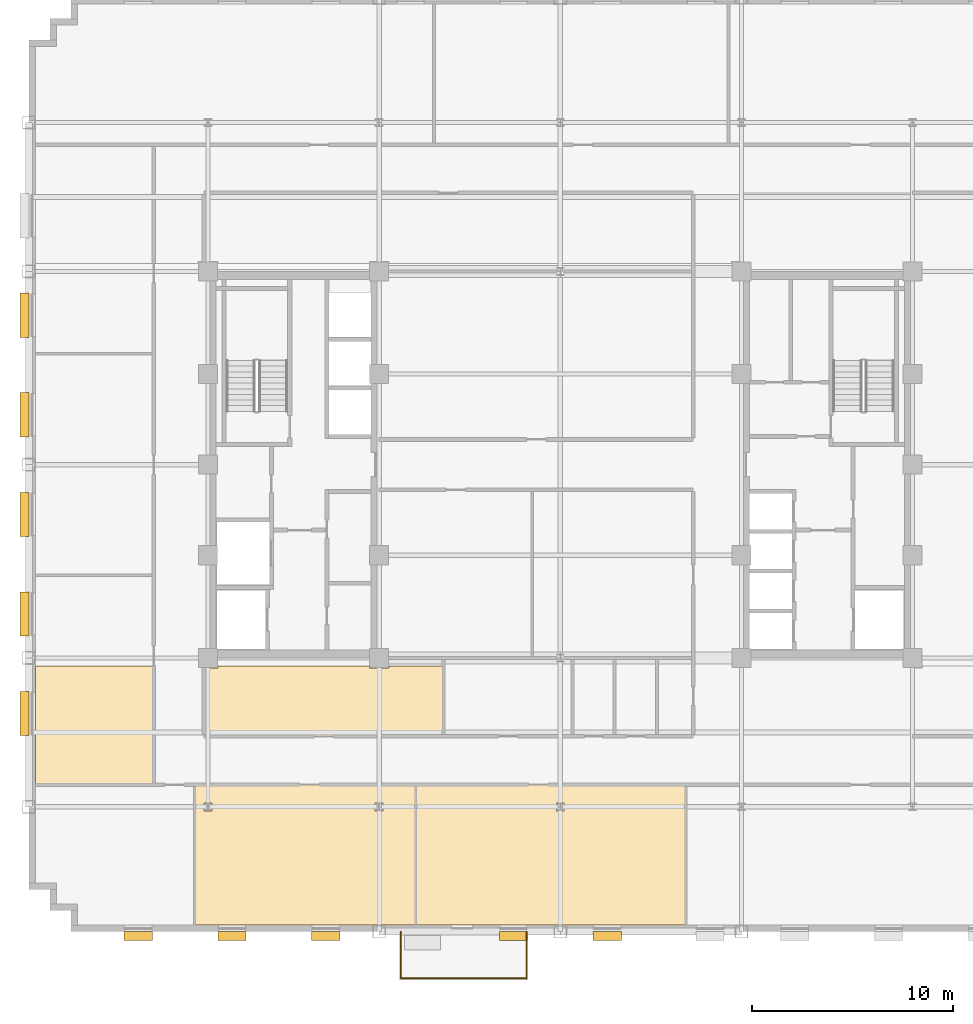
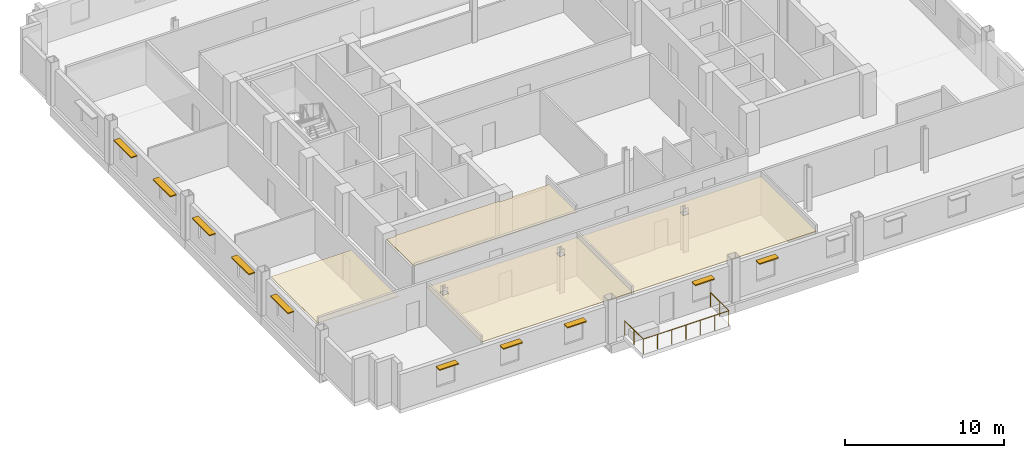
# One storey, part 10 of 13: 10 shading devices, 4 coverings, 1 railing.
"""IFC4 building model written with IfcOpenShell, lengths in metres."""

from ifc_helpers import new_model, si_unit, direction, frame, origin, origin_2d, place, context, subcontext, project, spatial, polyline, rectangle, circle, outline, extrude, source, transform, mapped, material, layer, layer_set, type_object, type_shapes, element, save


model = new_model("IFC4")

# Units and contexts
model_context = context("Model", 3, precision=1e-05, world=origin(), true_north=direction((0.0, 1.0)))
body_context = subcontext(model_context, "Body", "Model", "MODEL_VIEW")
ifc_project = project(units=[si_unit("LENGTHUNIT", "METRE"), si_unit("AREAUNIT", "SQUARE_METRE"), si_unit("VOLUMEUNIT", "CUBIC_METRE"), si_unit("PLANEANGLEUNIT", "RADIAN"), si_unit("MASSUNIT", "GRAM", prefix="KILO")], contexts=[model_context])

# Site, building, storey
site_placement = place(None, origin())
site = spatial("IfcSite", under=ifc_project, at=site_placement, CompositionType="ELEMENT")
building_placement = place(site_placement, origin())
building = spatial("IfcBuilding", under=site, at=building_placement, Name="Nuvemarco Arch Tower", CompositionType="ELEMENT")
storey_placement = place(building_placement, frame((0.0, 0.0, 149.39990234375)))
storey = spatial("IfcBuildingStorey", under=building, at=storey_placement, Name="L39", CompositionType="ELEMENT", Elevation=149.39990234375)

# Coverings
ifc_material_1 = material(Name="Mineral acoustic ceiling tile")
ifc_layer = layer(ifc_material_1, 0.0400390625, Name="COV-ACOUSTIC-CLG")
ifc_layer_set = layer_set([ifc_layer], Name="Mineral acoustic ceiling tile")
covering_type = type_object("IfcCoveringType", Name="COV-ACOUSTIC-CLG", PredefinedType="CEILING", material=ifc_layer_set)
covering_1_placement = place(storey_placement, frame((0.0, 0.0, 2.85009765625)))
element("IfcCovering", 1, at=covering_1_placement, inside=storey, type_object=covering_type, Name="L39 suspended acoustic ceiling 5", PredefinedType="CEILING", context=body_context, shape_type="SweptSolid", body=[
    extrude(outline(polyline([(0.340087890625, -22.8798828125), (0.340087890625, -22.860107421875), (-0.340087890625, -22.860107421875), (-0.340087890625, -22.8798828125), (-7.179931640625, -22.8798828125), (-7.179931640625, -15.89990234375), (6.22998046875, -15.89990234375), (6.22998046875, -22.8798828125), (0.340087890625, -22.8798828125)]), holes=[polyline([(0.195068359375, -17.195068359375), (0.195068359375, -16.804931640625), (-0.195068359375, -16.804931640625), (-0.195068359375, -17.195068359375), (0.195068359375, -17.195068359375)])]), origin(), (0.0, 0.0, 1.0), 0.0400390625),
])
covering_2_placement = place(storey_placement, frame((0.0, 0.0, 2.85009765625)))
element("IfcCovering", 2, at=covering_2_placement, inside=storey, type_object=covering_type, Name="L39 suspended acoustic ceiling 6", PredefinedType="CEILING", context=body_context, shape_type="SweptSolid", body=[
    extrude(outline(polyline([(-7.179931640625, -22.8798828125), (-8.659912109375, -22.8798828125), (-8.659912109375, -22.860107421875), (-9.340087890625, -22.860107421875), (-9.340087890625, -22.8798828125), (-18.14990234375, -22.8798828125), (-18.14990234375, -15.89990234375), (-17.699951171875, -15.89990234375), (-7.179931640625, -15.89990234375), (-7.179931640625, -22.8798828125)]), holes=[polyline([(-17.304931640625, -16.804931640625), (-17.695068359375, -16.804931640625), (-17.695068359375, -17.195068359375), (-17.304931640625, -17.195068359375), (-17.304931640625, -16.804931640625)]), polyline([(-8.804931640625, -17.195068359375), (-8.804931640625, -16.804931640625), (-9.195068359375, -16.804931640625), (-9.195068359375, -17.195068359375), (-8.804931640625, -17.195068359375)])]), origin(), (0.0, 0.0, 1.0), 0.0400390625),
])
covering_3_placement = place(storey_placement, frame((0.0, 0.0, 2.85009765625)))
element("IfcCovering", 3, at=covering_3_placement, inside=storey, type_object=covering_type, Name="L39 suspended acoustic ceiling 7", PredefinedType="CEILING", context=body_context, shape_type="SweptSolid", body=[
    extrude(outline(polyline([(-20.199951171875, -13.5), (-20.199951171875, -15.89990234375), (-26.080078125, -15.89990234375), (-26.080078125, -10.0), (-20.199951171875, -10.0), (-20.199951171875, -13.5)])), origin(), (0.0, 0.0, 1.0), 0.0400390625),
])
covering_4_placement = place(storey_placement, frame((0.0, 0.0, 2.85009765625)))
element("IfcCovering", 4, at=covering_4_placement, inside=storey, type_object=covering_type, Name="L39 suspended acoustic ceiling 9", PredefinedType="CEILING", context=body_context, shape_type="SweptSolid", body=[
    extrude(outline(polyline([(-9.489990234375, -10.090087890625), (-8.510009765625, -10.090087890625), (-8.510009765625, -10.0), (-5.800048828125, -10.0), (-5.800048828125, -13.5), (-17.699951171875, -13.5), (-17.699951171875, -10.090087890625), (-17.010009765625, -10.090087890625), (-17.010009765625, -10.0), (-9.489990234375, -10.0), (-9.489990234375, -10.090087890625)])), origin(), (0.0, 0.0, 1.0), 0.0400390625),
])

# Railing
ifc_material_2 = material(Name="Dark anodised balustrade steel S355", Category="steel")
railing_type = type_object("IfcRailingType", Name="RL-TERR-GUARD", PredefinedType="BALUSTRADE", material=ifc_material_2)
railing_placement = place(storey_placement, frame((-7.919921875, -23.199951171875, 0.0)))
element("IfcRailing", 5, at=railing_placement, inside=storey, type_object=railing_type, Name="L39 spiral terrace perimeter balustrade guard", PredefinedType="BALUSTRADE", context=body_context, shape_type="SweptSolid", body=[
    extrude(circle(Radius=0.02392578125, at=origin_2d()), frame((0.0, 0.0, 1.1259765625), z_axis=(0.0, -1.0, 0.0), x_axis=(1.0, 0.0, 0.0)), (0.0, 0.0, 1.0), 2.320068359375),
    extrude(circle(Radius=0.02392578125, at=origin_2d()), frame((0.0, -2.320068359375, 1.1259765625), z_axis=(1.0, 0.0, 0.0), x_axis=(0.0, 1.0, 0.0)), (0.0, 0.0, 1.0), 6.239990234375),
    extrude(circle(Radius=0.02392578125, at=origin_2d()), frame((6.239990234375, -2.320068359375, 1.1259765625), z_axis=(0.0, 1.0, 0.0), x_axis=(-1.0, 0.0, 0.0)), (0.0, 0.0, 1.0), 2.320068359375),
    extrude(circle(Radius=0.02099609375, at=origin_2d()), origin(), (0.0, 0.0, 1.0), 1.101806640625),
    extrude(circle(Radius=0.02099609375, at=origin_2d()), frame((0.0, -1.16015625, 0.0)), (0.0, 0.0, 1.0), 1.101806640625),
    extrude(circle(Radius=0.02099609375, at=origin_2d()), frame((0.0, -2.320068359375, 0.0)), (0.0, 0.0, 1.0), 1.101806640625),
    extrude(circle(Radius=0.02099609375, at=origin_2d()), frame((1.0400390625, -2.320068359375, 0.0)), (0.0, 0.0, 1.0), 1.101806640625),
    extrude(circle(Radius=0.02099609375, at=origin_2d()), frame((2.080078125, -2.320068359375, 0.0)), (0.0, 0.0, 1.0), 1.101806640625),
    extrude(circle(Radius=0.02099609375, at=origin_2d()), frame((3.1201171875, -2.320068359375, 0.0)), (0.0, 0.0, 1.0), 1.101806640625),
    extrude(circle(Radius=0.02099609375, at=origin_2d()), frame((4.159912109375, -2.320068359375, 0.0)), (0.0, 0.0, 1.0), 1.101806640625),
    extrude(circle(Radius=0.02099609375, at=origin_2d()), frame((5.199951171875, -2.320068359375, 0.0)), (0.0, 0.0, 1.0), 1.101806640625),
    extrude(circle(Radius=0.02099609375, at=origin_2d()), frame((6.239990234375, -2.320068359375, 0.0)), (0.0, 0.0, 1.0), 1.101806640625),
    extrude(circle(Radius=0.02099609375, at=origin_2d()), frame((6.239990234375, -1.16015625, 0.0)), (0.0, 0.0, 1.0), 1.101806640625),
    extrude(circle(Radius=0.02099609375, at=origin_2d()), frame((6.239990234375, 0.0, 0.0)), (0.0, 0.0, 1.0), 1.101806640625),
])

# Shading devices
ifc_material_3 = material(Name="Anodised aluminium 6063-T6", Category="aluminium")
shading_device_type_1 = type_object("IfcShadingDeviceType", Name="SHD-BRISE-SOLEIL", PredefinedType="USERDEFINED", material=ifc_material_3)
shared_shape_1 = source(origin(), body_context, "Body", "SweptSolid", [
    extrude(rectangle(XDim=2.199951171875, YDim=0.449951171875, at=origin_2d()), origin(), (0.0, 0.0, 1.0), 0.080078125),
])
type_shapes(shading_device_type_1, [shared_shape_1])
for number, where, z_axis, x_axis, name in (
    (6, (-26.614990234375, -12.364990234375, 2.364990234375), (0.0, 0.0, 1.0), (0.0, 1.0, 0.0), "L39 horizontal brise-soleil sunshade"),
    (7, (-26.614990234375, -7.4189453125, 2.364990234375), (0.0, 0.0, 1.0), (0.0, 1.0, 0.0), "L39 horizontal brise-soleil sunshade"),
    (8, (-26.614990234375, -2.472900390625, 2.364990234375), (0.0, 0.0, 1.0), (0.0, 1.0, 0.0), "L39 horizontal brise-soleil sunshade"),
    (9, (-26.614990234375, 2.472900390625, 2.364990234375), (0.0, 0.0, 1.0), (0.0, 1.0, 0.0), "L39 horizontal brise-soleil sunshade"),
    (10, (-26.614990234375, 7.4189453125, 2.364990234375), (0.0, 0.0, 1.0), (0.0, 1.0, 0.0), "L39 horizontal brise-soleil sunshade"),
):
    element("IfcShadingDevice", number, at=place(storey_placement, frame(where, z_axis=z_axis, x_axis=x_axis)), inside=storey, type_object=shading_device_type_1, Name=name, ObjectType="SUNSHADE", PredefinedType="USERDEFINED", context=body_context, shape_type="MappedRepresentation", body=[
        mapped(shared_shape_1, transform((0.0, 0.0, 0.0), scale=1.0)),
    ])
shading_device_type_2 = type_object("IfcShadingDeviceType", Name="SHD-BRISE-NARROW", PredefinedType="USERDEFINED", material=ifc_material_3)
shared_shape_2 = source(origin(), body_context, "Body", "SweptSolid", [
    extrude(rectangle(XDim=1.39990234375, YDim=0.449951171875, at=origin_2d()), origin(), (0.0, 0.0, 1.0), 0.080078125),
])
type_shapes(shading_device_type_2, [shared_shape_2])
for number, where, z_axis, x_axis, name in (
    (11, (-20.969970703125, -23.4150390625, 2.364990234375), (0.0, 0.0, 1.0), (1.0, 0.0, 0.0), "L39 horizontal brise-soleil sunshade"),
    (12, (-16.31005859375, -23.4150390625, 2.364990234375), (0.0, 0.0, 1.0), (1.0, 0.0, 0.0), "L39 horizontal brise-soleil sunshade"),
    (13, (-11.64990234375, -23.4150390625, 2.364990234375), (0.0, 0.0, 1.0), (1.0, 0.0, 0.0), "L39 horizontal brise-soleil sunshade"),
    (14, (-2.330078125, -23.4150390625, 2.364990234375), (0.0, 0.0, 1.0), (1.0, 0.0, 0.0), "L39 horizontal brise-soleil sunshade"),
    (15, (2.330078125, -23.4150390625, 2.364990234375), (0.0, 0.0, 1.0), (1.0, 0.0, 0.0), "L39 horizontal brise-soleil sunshade"),
):
    element("IfcShadingDevice", number, at=place(storey_placement, frame(where, z_axis=z_axis, x_axis=x_axis)), inside=storey, type_object=shading_device_type_2, Name=name, ObjectType="SUNSHADE", PredefinedType="USERDEFINED", context=body_context, shape_type="MappedRepresentation", body=[
        mapped(shared_shape_2, transform((0.0, 0.0, 0.0), scale=1.0)),
    ])

save(model, "model.ifc")
